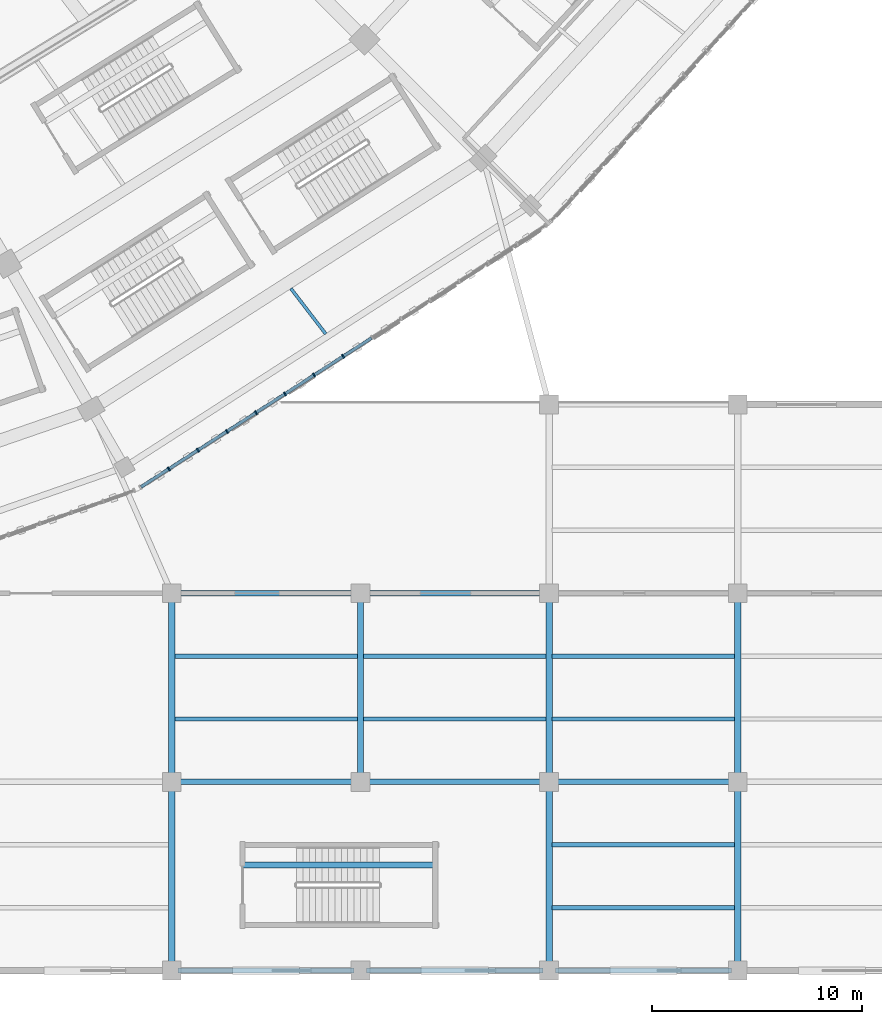
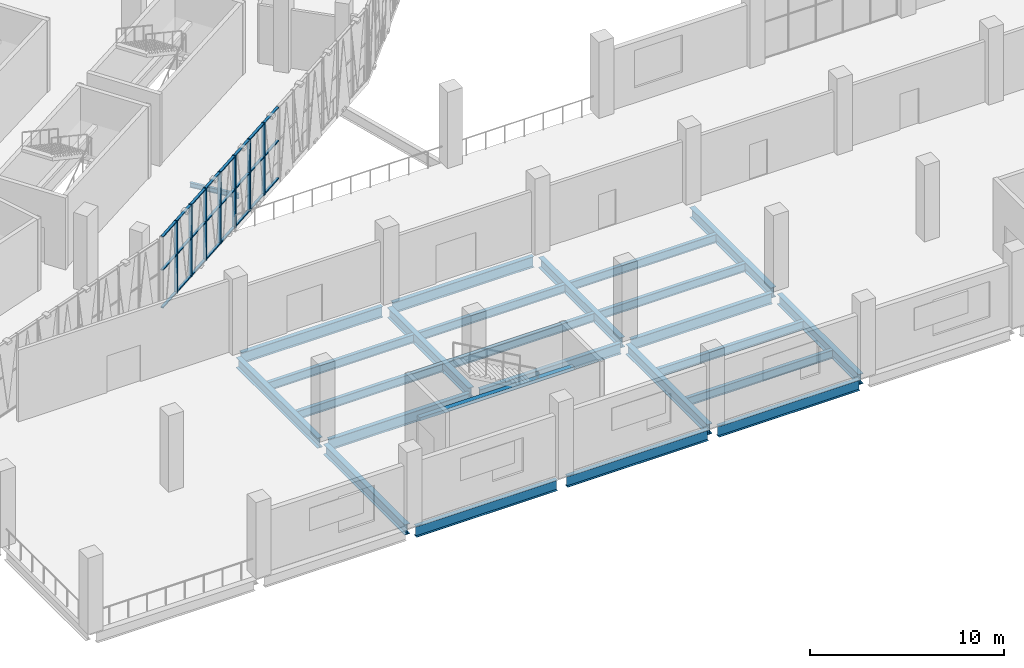
# One storey, part 29 of 183: 31 members, 25 beams, 1 element without a shape of its own.
"""IFC4 building model written with IfcOpenShell, lengths in metres."""

from ifc_helpers import new_model, si_unit, direction, frame, origin, origin_2d, place, context, subcontext, project, spatial, rectangle, i_section, extrude, material, material_profile, profile_set, type_object, element, aggregate, save


model = new_model("IFC4")

# Units and contexts
model_context = context("Model", 3, precision=1e-05, world=origin(), true_north=direction((0.0, 1.0)))
body_context = subcontext(model_context, "Body", "Model", "MODEL_VIEW")
ifc_project = project(units=[si_unit("LENGTHUNIT", "METRE"), si_unit("AREAUNIT", "SQUARE_METRE"), si_unit("VOLUMEUNIT", "CUBIC_METRE"), si_unit("PLANEANGLEUNIT", "RADIAN"), si_unit("MASSUNIT", "GRAM", prefix="KILO")], contexts=[model_context])

# Site, building, storey
site_placement = place(None, origin())
site = spatial("IfcSite", under=ifc_project, at=site_placement, CompositionType="ELEMENT")
building_placement = place(site_placement, origin())
building = spatial("IfcBuilding", under=site, at=building_placement, Name="Zevraka Park Crest Stadium", CompositionType="ELEMENT")
storey_placement = place(building_placement, frame((0.0, 0.0, 5.39990234375)))
storey = spatial("IfcBuildingStorey", under=building, at=storey_placement, Name="L01", CompositionType="ELEMENT", Elevation=5.39990234375)

# Beams
ifc_material_1 = material(Name="Steel S355", Category="steel")
ifc_material_profile_1 = material_profile(ifc_material_1, i_section(OverallWidth=0.253662109375, OverallDepth=0.68359375, WebThickness=0.012451171875, FlangeThickness=0.01904296875, at=origin_2d()), Name="UKB 686x254x140")
ifc_profile_set_1 = profile_set([ifc_material_profile_1], Name="Steel S355")
beam_type_1 = type_object("IfcBeamType", Name="BG05", PredefinedType="BEAM", material=ifc_profile_set_1)
for number, where, z_axis, x_axis, name in (
    (1, (161.300048828125, 0.0, -0.649658203125), (1.0, 0.0, 0.0), (0.0, 1.0, 0.0), "Wing Girder BG05 L01-1819/A"),
    (2, (161.300048828125, 9.0, -0.649658203125), (1.0, 0.0, 0.0), (0.0, 1.0, 0.0), "Wing Girder BG05 L01-1819/B"),
    (3, (161.300048828125, 18.0, -0.649658203125), (1.0, 0.0, 0.0), (0.0, 1.0, 0.0), "Wing Girder BG05 L01-1819/C"),
    (4, (170.300048828125, 0.0, -0.649658203125), (1.0, 0.0, 0.0), (0.0, 1.0, 0.0), "Wing Girder BG05 L01-1920/A"),
    (5, (170.300048828125, 9.0, -0.649658203125), (1.0, 0.0, 0.0), (0.0, 1.0, 0.0), "Wing Girder BG05 L01-1920/B"),
    (6, (170.300048828125, 18.0, -0.649658203125), (1.0, 0.0, 0.0), (0.0, 1.0, 0.0), "Wing Girder BG05 L01-1920/C"),
    (7, (179.300048828125, 0.0, -0.649658203125), (1.0, 0.0, 0.0), (0.0, 1.0, 0.0), "Wing Girder BG05 L01-2021/A"),
    (8, (179.300048828125, 9.0, -0.649658203125), (1.0, 0.0, 0.0), (0.0, 1.0, 0.0), "Wing Girder BG05 L01-2021/B"),
):
    element("IfcBeam", number, at=place(storey_placement, frame(where, z_axis=z_axis, x_axis=x_axis)), inside=storey, type_object=beam_type_1, Name=name, PredefinedType="BEAM", context=body_context, shape_type="SweptSolid", body=[
        extrude(i_section(OverallWidth=0.253662109375, OverallDepth=0.68359375, WebThickness=0.012451171875, FlangeThickness=0.01904296875, at=origin_2d()), origin(), (0.0, 0.0, 1.0), 8.39990234375),
    ])
ifc_material_2 = material(Name="Steel S355", Category="steel")
ifc_material_profile_2 = material_profile(ifc_material_2, i_section(OverallWidth=0.300048828125, OverallDepth=0.64990234375, WebThickness=0.01611328125, FlangeThickness=0.031005859375, at=origin_2d()), Name="HEB 650")
ifc_profile_set_2 = profile_set([ifc_material_profile_2], Name="Steel S355")
beam_type_2 = type_object("IfcBeamType", Name="BG07", PredefinedType="BEAM", material=ifc_profile_set_2)
for number, where, z_axis, x_axis, name in (
    (9, (161.0, 0.300048828125, -0.6328125), (0.0, 1.0, 0.0), (-1.0, 0.0, 0.0), "Wing Girder BG07 L01-18/AB"),
    (10, (161.0, 9.300048828125, -0.6328125), (0.0, 1.0, 0.0), (-1.0, 0.0, 0.0), "Wing Girder BG07 L01-18/BC"),
    (11, (170.0, 9.300048828125, -0.6328125), (0.0, 1.0, 0.0), (-1.0, 0.0, 0.0), "Wing Girder BG07 L01-19/BC"),
    (12, (179.0, 0.300048828125, -0.6328125), (0.0, 1.0, 0.0), (-1.0, 0.0, 0.0), "Wing Girder BG07 L01-20/AB"),
    (13, (179.0, 9.300048828125, -0.6328125), (0.0, 1.0, 0.0), (-1.0, 0.0, 0.0), "Wing Girder BG07 L01-20/BC"),
    (14, (188.0, 0.300048828125, -0.6328125), (0.0, 1.0, 0.0), (-1.0, 0.0, 0.0), "Wing Girder BG07 L01-21/AB"),
    (15, (188.0, 9.300048828125, -0.6328125), (0.0, 1.0, 0.0), (-1.0, 0.0, 0.0), "Wing Girder BG07 L01-21/BC"),
):
    element("IfcBeam", number, at=place(storey_placement, frame(where, z_axis=z_axis, x_axis=x_axis)), inside=storey, type_object=beam_type_2, Name=name, PredefinedType="BEAM", context=body_context, shape_type="SweptSolid", body=[
        extrude(i_section(OverallWidth=0.300048828125, OverallDepth=0.64990234375, WebThickness=0.01611328125, FlangeThickness=0.031005859375, at=origin_2d()), origin(), (0.0, 0.0, 1.0), 8.39990234375),
    ])

# Curtain wall, members
ifc_material_3 = material(Name="Anodised architectural aluminium and laminated safety glass", Category="aluminium")
curtain_wall_type = type_object("IfcCurtainWallType", Name="CW03", PredefinedType="NOTDEFINED", material=ifc_material_3)
curtain_wall_placement = place(storey_placement, origin())
curtain_wall = element("IfcCurtainWall", 16, at=curtain_wall_placement, inside=storey, type_object=curtain_wall_type, Name="Unitised Ring Curtain Wall CW03 L01-20", PredefinedType="NOTDEFINED")
ifc_material_4 = material(Name="Anodised architectural aluminium", Category="aluminium")
ifc_material_profile_3 = material_profile(ifc_material_4, rectangle(XDim=0.199951171875, YDim=0.070068359375, at=origin_2d()), Name="ALU MULLION 200x70")
ifc_profile_set_3 = profile_set([ifc_material_profile_3], Name="Anodised architectural aluminium")
member_type_1 = type_object("IfcMemberType", Name="CM03", PredefinedType="MULLION", material=ifc_profile_set_3)
member_1_placement = place(storey_placement, frame((160.859619140625, 23.928955078125, 0.0), z_axis=(0.0, 0.0, 1.0), x_axis=(-0.542570628938, 0.840010186018, 0.0)))
member_1 = element("IfcMember", 17, at=member_1_placement, type_object=member_type_1, Name="CW03 mullion 2", PredefinedType="MULLION", context=body_context, shape_type="SweptSolid", body=[
    extrude(rectangle(XDim=0.199951171875, YDim=0.070068359375, at=origin_2d()), origin(), (0.0, 0.0, 1.0), 4.52001953125),
])
member_2_placement = place(storey_placement, frame((162.245361328125, 24.823974609375, 0.0), z_axis=(0.0, 0.0, 1.0), x_axis=(-0.542570628938, 0.840010186018, 0.0)))
member_2 = element("IfcMember", 18, at=member_2_placement, type_object=member_type_1, Name="CW03 mullion 3", PredefinedType="MULLION", context=body_context, shape_type="SweptSolid", body=[
    extrude(rectangle(XDim=0.199951171875, YDim=0.070068359375, at=origin_2d()), origin(), (0.0, 0.0, 1.0), 4.52001953125),
])
member_3_placement = place(storey_placement, frame((163.630859375, 25.718994140625, 0.0), z_axis=(0.0, 0.0, 1.0), x_axis=(-0.542570628938, 0.840010186018, 0.0)))
member_3 = element("IfcMember", 19, at=member_3_placement, type_object=member_type_1, Name="CW03 mullion 4", PredefinedType="MULLION", context=body_context, shape_type="SweptSolid", body=[
    extrude(rectangle(XDim=0.199951171875, YDim=0.070068359375, at=origin_2d()), origin(), (0.0, 0.0, 1.0), 4.52001953125),
])
member_4_placement = place(storey_placement, frame((165.0166015625, 26.614013671875, 0.0), z_axis=(0.0, 0.0, 1.0), x_axis=(-0.542570628938, 0.840010186018, 0.0)))
member_4 = element("IfcMember", 20, at=member_4_placement, type_object=member_type_1, Name="CW03 mullion 5", PredefinedType="MULLION", context=body_context, shape_type="SweptSolid", body=[
    extrude(rectangle(XDim=0.199951171875, YDim=0.070068359375, at=origin_2d()), origin(), (0.0, 0.0, 1.0), 4.52001953125),
])
member_5_placement = place(storey_placement, frame((166.402099609375, 27.509033203125, 0.0), z_axis=(0.0, 0.0, 1.0), x_axis=(-0.542570628938, 0.840010186018, 0.0)))
member_5 = element("IfcMember", 21, at=member_5_placement, type_object=member_type_1, Name="CW03 mullion 6", PredefinedType="MULLION", context=body_context, shape_type="SweptSolid", body=[
    extrude(rectangle(XDim=0.199951171875, YDim=0.070068359375, at=origin_2d()), origin(), (0.0, 0.0, 1.0), 4.52001953125),
])
member_6_placement = place(storey_placement, frame((167.787841796875, 28.404052734375, 0.0), z_axis=(0.0, 0.0, 1.0), x_axis=(-0.542570628938, 0.840010186018, 0.0)))
member_6 = element("IfcMember", 22, at=member_6_placement, type_object=member_type_1, Name="CW03 mullion 7", PredefinedType="MULLION", context=body_context, shape_type="SweptSolid", body=[
    extrude(rectangle(XDim=0.199951171875, YDim=0.070068359375, at=origin_2d()), origin(), (0.0, 0.0, 1.0), 4.52001953125),
])
member_7_placement = place(storey_placement, frame((169.173583984375, 29.299072265625, 0.0), z_axis=(0.0, 0.0, 1.0), x_axis=(-0.542570628938, 0.840010186018, 0.0)))
member_7 = element("IfcMember", 23, at=member_7_placement, type_object=member_type_1, Name="CW03 mullion 8", PredefinedType="MULLION", context=body_context, shape_type="SweptSolid", body=[
    extrude(rectangle(XDim=0.199951171875, YDim=0.070068359375, at=origin_2d()), origin(), (0.0, 0.0, 1.0), 4.52001953125),
])
ifc_material_5 = material(Name="Anodised architectural aluminium", Category="aluminium")
ifc_material_profile_4 = material_profile(ifc_material_5, rectangle(XDim=0.14990234375, YDim=0.070068359375, at=origin_2d()), Name="ALU TRANSOM 150x70")
ifc_profile_set_4 = profile_set([ifc_material_profile_4], Name="Anodised architectural aluminium")
member_type_2 = type_object("IfcMemberType", Name="CT03", PredefinedType="USERDEFINED", material=ifc_profile_set_4)
member_8_placement = place(storey_placement, frame((159.53271484375, 23.072021484375, 0.03515625), z_axis=(0.840082895717, 0.542458042916, 0.0), x_axis=(-0.542458042916, 0.840082895717, 0.0)))
member_8 = element("IfcMember", 24, at=member_8_placement, type_object=member_type_2, Name="CW03 transom 1.1", ObjectType="TRANSOM", PredefinedType="USERDEFINED", context=body_context, shape_type="SweptSolid", body=[
    extrude(rectangle(XDim=0.14990234375, YDim=0.070068359375, at=origin_2d()), origin(), (0.0, 0.0, 1.0), 1.544677734375),
])
member_9_placement = place(storey_placement, frame((159.53271484375, 23.072021484375, 2.400146484375), z_axis=(0.840082895717, 0.542458042916, 0.0), x_axis=(-0.542458042916, 0.840082895717, 0.0)))
member_9 = element("IfcMember", 25, at=member_9_placement, type_object=member_type_2, Name="CW03 transom 1.2", ObjectType="TRANSOM", PredefinedType="USERDEFINED", context=body_context, shape_type="SweptSolid", body=[
    extrude(rectangle(XDim=0.14990234375, YDim=0.070068359375, at=origin_2d()), origin(), (0.0, 0.0, 1.0), 1.544677734375),
])
member_10_placement = place(storey_placement, frame((159.53271484375, 23.072021484375, 4.485107421875), z_axis=(0.840082895717, 0.542458042916, 0.0), x_axis=(-0.542458042916, 0.840082895717, 0.0)))
member_10 = element("IfcMember", 26, at=member_10_placement, type_object=member_type_2, Name="CW03 transom 1.3", ObjectType="TRANSOM", PredefinedType="USERDEFINED", context=body_context, shape_type="SweptSolid", body=[
    extrude(rectangle(XDim=0.14990234375, YDim=0.070068359375, at=origin_2d()), origin(), (0.0, 0.0, 1.0), 1.544677734375),
])
member_11_placement = place(storey_placement, frame((160.88916015625, 23.947998046875, 0.03515625), z_axis=(0.840001215359, 0.542584517098, 0.0), x_axis=(-0.542584517098, 0.840001215359, 0.0)))
member_11 = element("IfcMember", 27, at=member_11_placement, type_object=member_type_2, Name="CW03 transom 2.1", ObjectType="TRANSOM", PredefinedType="USERDEFINED", context=body_context, shape_type="SweptSolid", body=[
    extrude(rectangle(XDim=0.14990234375, YDim=0.070068359375, at=origin_2d()), origin(), (0.0, 0.0, 1.0), 1.579345703125),
])
member_12_placement = place(storey_placement, frame((160.88916015625, 23.947998046875, 2.400146484375), z_axis=(0.840001215359, 0.542584517098, 0.0), x_axis=(-0.542584517098, 0.840001215359, 0.0)))
member_12 = element("IfcMember", 28, at=member_12_placement, type_object=member_type_2, Name="CW03 transom 2.2", ObjectType="TRANSOM", PredefinedType="USERDEFINED", context=body_context, shape_type="SweptSolid", body=[
    extrude(rectangle(XDim=0.14990234375, YDim=0.070068359375, at=origin_2d()), origin(), (0.0, 0.0, 1.0), 1.579345703125),
])
member_13_placement = place(storey_placement, frame((160.88916015625, 23.947998046875, 4.485107421875), z_axis=(0.840001215359, 0.542584517098, 0.0), x_axis=(-0.542584517098, 0.840001215359, 0.0)))
member_13 = element("IfcMember", 29, at=member_13_placement, type_object=member_type_2, Name="CW03 transom 2.3", ObjectType="TRANSOM", PredefinedType="USERDEFINED", context=body_context, shape_type="SweptSolid", body=[
    extrude(rectangle(XDim=0.14990234375, YDim=0.070068359375, at=origin_2d()), origin(), (0.0, 0.0, 1.0), 1.579345703125),
])
member_14_placement = place(storey_placement, frame((162.274658203125, 24.843017578125, 0.03515625), z_axis=(0.840046715264, 0.542514070024, 0.0), x_axis=(-0.542514070024, 0.840046715264, 0.0)))
member_14 = element("IfcMember", 30, at=member_14_placement, type_object=member_type_2, Name="CW03 transom 3.1", ObjectType="TRANSOM", PredefinedType="USERDEFINED", context=body_context, shape_type="SweptSolid", body=[
    extrude(rectangle(XDim=0.14990234375, YDim=0.070068359375, at=origin_2d()), origin(), (0.0, 0.0, 1.0), 1.57958984375),
])
member_15_placement = place(storey_placement, frame((162.274658203125, 24.843017578125, 2.400146484375), z_axis=(0.840046715264, 0.542514070024, 0.0), x_axis=(-0.542514070024, 0.840046715264, 0.0)))
member_15 = element("IfcMember", 31, at=member_15_placement, type_object=member_type_2, Name="CW03 transom 3.2", ObjectType="TRANSOM", PredefinedType="USERDEFINED", context=body_context, shape_type="SweptSolid", body=[
    extrude(rectangle(XDim=0.14990234375, YDim=0.070068359375, at=origin_2d()), origin(), (0.0, 0.0, 1.0), 1.57958984375),
])
member_16_placement = place(storey_placement, frame((162.274658203125, 24.843017578125, 4.485107421875), z_axis=(0.840046715264, 0.542514070024, 0.0), x_axis=(-0.542514070024, 0.840046715264, 0.0)))
member_16 = element("IfcMember", 32, at=member_16_placement, type_object=member_type_2, Name="CW03 transom 3.3", ObjectType="TRANSOM", PredefinedType="USERDEFINED", context=body_context, shape_type="SweptSolid", body=[
    extrude(rectangle(XDim=0.14990234375, YDim=0.070068359375, at=origin_2d()), origin(), (0.0, 0.0, 1.0), 1.57958984375),
])
member_17_placement = place(storey_placement, frame((163.660400390625, 25.738037109375, 0.03515625), z_axis=(0.840001215359, 0.542584517098, 0.0), x_axis=(-0.542584517098, 0.840001215359, 0.0)))
member_17 = element("IfcMember", 33, at=member_17_placement, type_object=member_type_2, Name="CW03 transom 4.1", ObjectType="TRANSOM", PredefinedType="USERDEFINED", context=body_context, shape_type="SweptSolid", body=[
    extrude(rectangle(XDim=0.14990234375, YDim=0.070068359375, at=origin_2d()), origin(), (0.0, 0.0, 1.0), 1.579345703125),
])
member_18_placement = place(storey_placement, frame((163.660400390625, 25.738037109375, 2.400146484375), z_axis=(0.840001215359, 0.542584517098, 0.0), x_axis=(-0.542584517098, 0.840001215359, 0.0)))
member_18 = element("IfcMember", 34, at=member_18_placement, type_object=member_type_2, Name="CW03 transom 4.2", ObjectType="TRANSOM", PredefinedType="USERDEFINED", context=body_context, shape_type="SweptSolid", body=[
    extrude(rectangle(XDim=0.14990234375, YDim=0.070068359375, at=origin_2d()), origin(), (0.0, 0.0, 1.0), 1.579345703125),
])
member_19_placement = place(storey_placement, frame((163.660400390625, 25.738037109375, 4.485107421875), z_axis=(0.840001215359, 0.542584517098, 0.0), x_axis=(-0.542584517098, 0.840001215359, 0.0)))
member_19 = element("IfcMember", 35, at=member_19_placement, type_object=member_type_2, Name="CW03 transom 4.3", ObjectType="TRANSOM", PredefinedType="USERDEFINED", context=body_context, shape_type="SweptSolid", body=[
    extrude(rectangle(XDim=0.14990234375, YDim=0.070068359375, at=origin_2d()), origin(), (0.0, 0.0, 1.0), 1.579345703125),
])
member_20_placement = place(storey_placement, frame((165.0458984375, 26.633056640625, 0.03515625), z_axis=(0.840046715264, 0.542514070024, 0.0), x_axis=(-0.542514070024, 0.840046715264, 0.0)))
member_20 = element("IfcMember", 36, at=member_20_placement, type_object=member_type_2, Name="CW03 transom 5.1", ObjectType="TRANSOM", PredefinedType="USERDEFINED", context=body_context, shape_type="SweptSolid", body=[
    extrude(rectangle(XDim=0.14990234375, YDim=0.070068359375, at=origin_2d()), origin(), (0.0, 0.0, 1.0), 1.57958984375),
])
member_21_placement = place(storey_placement, frame((165.0458984375, 26.633056640625, 2.400146484375), z_axis=(0.840046715264, 0.542514070024, 0.0), x_axis=(-0.542514070024, 0.840046715264, 0.0)))
member_21 = element("IfcMember", 37, at=member_21_placement, type_object=member_type_2, Name="CW03 transom 5.2", ObjectType="TRANSOM", PredefinedType="USERDEFINED", context=body_context, shape_type="SweptSolid", body=[
    extrude(rectangle(XDim=0.14990234375, YDim=0.070068359375, at=origin_2d()), origin(), (0.0, 0.0, 1.0), 1.57958984375),
])
member_22_placement = place(storey_placement, frame((165.0458984375, 26.633056640625, 4.485107421875), z_axis=(0.840046715264, 0.542514070024, 0.0), x_axis=(-0.542514070024, 0.840046715264, 0.0)))
member_22 = element("IfcMember", 38, at=member_22_placement, type_object=member_type_2, Name="CW03 transom 5.3", ObjectType="TRANSOM", PredefinedType="USERDEFINED", context=body_context, shape_type="SweptSolid", body=[
    extrude(rectangle(XDim=0.14990234375, YDim=0.070068359375, at=origin_2d()), origin(), (0.0, 0.0, 1.0), 1.57958984375),
])
member_23_placement = place(storey_placement, frame((166.431640625, 27.528076171875, 0.03515625), z_axis=(0.840046715264, 0.542514070024, 0.0), x_axis=(-0.542514070024, 0.840046715264, 0.0)))
member_23 = element("IfcMember", 39, at=member_23_placement, type_object=member_type_2, Name="CW03 transom 6.1", ObjectType="TRANSOM", PredefinedType="USERDEFINED", context=body_context, shape_type="SweptSolid", body=[
    extrude(rectangle(XDim=0.14990234375, YDim=0.070068359375, at=origin_2d()), origin(), (0.0, 0.0, 1.0), 1.57958984375),
])
member_24_placement = place(storey_placement, frame((166.431640625, 27.528076171875, 2.400146484375), z_axis=(0.840046715264, 0.542514070024, 0.0), x_axis=(-0.542514070024, 0.840046715264, 0.0)))
member_24 = element("IfcMember", 40, at=member_24_placement, type_object=member_type_2, Name="CW03 transom 6.2", ObjectType="TRANSOM", PredefinedType="USERDEFINED", context=body_context, shape_type="SweptSolid", body=[
    extrude(rectangle(XDim=0.14990234375, YDim=0.070068359375, at=origin_2d()), origin(), (0.0, 0.0, 1.0), 1.57958984375),
])
member_25_placement = place(storey_placement, frame((166.431640625, 27.528076171875, 4.485107421875), z_axis=(0.840046715264, 0.542514070024, 0.0), x_axis=(-0.542514070024, 0.840046715264, 0.0)))
member_25 = element("IfcMember", 41, at=member_25_placement, type_object=member_type_2, Name="CW03 transom 6.3", ObjectType="TRANSOM", PredefinedType="USERDEFINED", context=body_context, shape_type="SweptSolid", body=[
    extrude(rectangle(XDim=0.14990234375, YDim=0.070068359375, at=origin_2d()), origin(), (0.0, 0.0, 1.0), 1.57958984375),
])
member_26_placement = place(storey_placement, frame((167.817138671875, 28.423095703125, 0.03515625), z_axis=(0.840046715264, 0.542514070024, 0.0), x_axis=(-0.542514070024, 0.840046715264, 0.0)))
member_26 = element("IfcMember", 42, at=member_26_placement, type_object=member_type_2, Name="CW03 transom 7.1", ObjectType="TRANSOM", PredefinedType="USERDEFINED", context=body_context, shape_type="SweptSolid", body=[
    extrude(rectangle(XDim=0.14990234375, YDim=0.070068359375, at=origin_2d()), origin(), (0.0, 0.0, 1.0), 1.57958984375),
])
member_27_placement = place(storey_placement, frame((167.817138671875, 28.423095703125, 2.400146484375), z_axis=(0.840046715264, 0.542514070024, 0.0), x_axis=(-0.542514070024, 0.840046715264, 0.0)))
member_27 = element("IfcMember", 43, at=member_27_placement, type_object=member_type_2, Name="CW03 transom 7.2", ObjectType="TRANSOM", PredefinedType="USERDEFINED", context=body_context, shape_type="SweptSolid", body=[
    extrude(rectangle(XDim=0.14990234375, YDim=0.070068359375, at=origin_2d()), origin(), (0.0, 0.0, 1.0), 1.57958984375),
])
member_28_placement = place(storey_placement, frame((167.817138671875, 28.423095703125, 4.485107421875), z_axis=(0.840046715264, 0.542514070024, 0.0), x_axis=(-0.542514070024, 0.840046715264, 0.0)))
member_28 = element("IfcMember", 44, at=member_28_placement, type_object=member_type_2, Name="CW03 transom 7.3", ObjectType="TRANSOM", PredefinedType="USERDEFINED", context=body_context, shape_type="SweptSolid", body=[
    extrude(rectangle(XDim=0.14990234375, YDim=0.070068359375, at=origin_2d()), origin(), (0.0, 0.0, 1.0), 1.57958984375),
])
member_29_placement = place(storey_placement, frame((169.202880859375, 29.31787109375, 0.03515625), z_axis=(0.839976274256, 0.542623127675, 0.0), x_axis=(-0.542623127675, 0.839976274256, 0.0)))
member_29 = element("IfcMember", 45, at=member_29_placement, type_object=member_type_2, Name="CW03 transom 8.1", ObjectType="TRANSOM", PredefinedType="USERDEFINED", context=body_context, shape_type="SweptSolid", body=[
    extrude(rectangle(XDim=0.14990234375, YDim=0.070068359375, at=origin_2d()), origin(), (0.0, 0.0, 1.0), 1.57958984375),
])
member_30_placement = place(storey_placement, frame((169.202880859375, 29.31787109375, 2.400146484375), z_axis=(0.839976274256, 0.542623127675, 0.0), x_axis=(-0.542623127675, 0.839976274256, 0.0)))
member_30 = element("IfcMember", 46, at=member_30_placement, type_object=member_type_2, Name="CW03 transom 8.2", ObjectType="TRANSOM", PredefinedType="USERDEFINED", context=body_context, shape_type="SweptSolid", body=[
    extrude(rectangle(XDim=0.14990234375, YDim=0.070068359375, at=origin_2d()), origin(), (0.0, 0.0, 1.0), 1.57958984375),
])
member_31_placement = place(storey_placement, frame((169.202880859375, 29.31787109375, 4.485107421875), z_axis=(0.839976274256, 0.542623127675, 0.0), x_axis=(-0.542623127675, 0.839976274256, 0.0)))
member_31 = element("IfcMember", 47, at=member_31_placement, type_object=member_type_2, Name="CW03 transom 8.3", ObjectType="TRANSOM", PredefinedType="USERDEFINED", context=body_context, shape_type="SweptSolid", body=[
    extrude(rectangle(XDim=0.14990234375, YDim=0.070068359375, at=origin_2d()), origin(), (0.0, 0.0, 1.0), 1.57958984375),
])
aggregate(curtain_wall, [member_1, member_2, member_3, member_4, member_5, member_6, member_7, member_8, member_9, member_10, member_11, member_12, member_13, member_14, member_15, member_16, member_17, member_18, member_19, member_20, member_21, member_22, member_23, member_24, member_25, member_26, member_27, member_28, member_29, member_30, member_31])

# Beams
ifc_material_6 = material(Name="Steel S355", Category="steel")
ifc_material_profile_5 = material_profile(ifc_material_6, i_section(OverallWidth=0.14990234375, OverallDepth=0.300048828125, WebThickness=0.007080078125, FlangeThickness=0.0107421875, at=origin_2d()), Name="IPE 300")
ifc_profile_set_5 = profile_set([ifc_material_profile_5], Name="Steel S355")
beam_type_3 = type_object("IfcBeamType", Name="SJ01", PredefinedType="JOIST", material=ifc_profile_set_5)
beam_1_placement = place(storey_placement, frame((166.680908203125, 32.537109375, -0.4580078125), z_axis=(0.608829249804, -0.793301294959, 0.0), x_axis=(0.793301294959, 0.608829249804, 0.0)))
element("IfcBeam", 48, at=beam_1_placement, inside=storey, type_object=beam_type_3, Name="Floor Joist SJ01 L01-DE-20-1", PredefinedType="JOIST", context=body_context, shape_type="SweptSolid", body=[
    extrude(i_section(OverallWidth=0.14990234375, OverallDepth=0.300048828125, WebThickness=0.007080078125, FlangeThickness=0.0107421875, at=origin_2d()), origin(), (0.0, 0.0, 1.0), 2.731689453125),
])
ifc_material_7 = material(Name="Steel S355", Category="steel")
ifc_material_profile_6 = material_profile(ifc_material_7, i_section(OverallWidth=0.209228515625, OverallDepth=0.533203125, WebThickness=0.010009765625, FlangeThickness=0.015625, at=origin_2d()), Name="UKB 533x210x92")
ifc_profile_set_6 = profile_set([ifc_material_profile_6], Name="Steel S355")
beam_type_4 = type_object("IfcBeamType", Name="SJ05", PredefinedType="JOIST", material=ifc_profile_set_6)
for number, where, z_axis, x_axis, name in (
    (49, (161.14501953125, 12.0, -0.576416015625), (1.0, 0.0, 0.0), (0.0, 1.0, 0.0), "Wing Joist SJ05 L01-18/B-1"),
    (50, (161.14501953125, 15.0, -0.576416015625), (1.0, 0.0, 0.0), (0.0, 1.0, 0.0), "Wing Joist SJ05 L01-18/B-2"),
    (51, (170.14501953125, 12.0, -0.576416015625), (1.0, 0.0, 0.0), (0.0, 1.0, 0.0), "Wing Joist SJ05 L01-19/B-1"),
    (52, (170.14501953125, 15.0, -0.576416015625), (1.0, 0.0, 0.0), (0.0, 1.0, 0.0), "Wing Joist SJ05 L01-19/B-2"),
    (53, (179.14501953125, 3.0, -0.576416015625), (1.0, 0.0, 0.0), (0.0, 1.0, 0.0), "Wing Joist SJ05 L01-20/A-1"),
    (54, (179.14501953125, 6.0, -0.576416015625), (1.0, 0.0, 0.0), (0.0, 1.0, 0.0), "Wing Joist SJ05 L01-20/A-2"),
    (55, (179.14501953125, 12.0, -0.576416015625), (1.0, 0.0, 0.0), (0.0, 1.0, 0.0), "Wing Joist SJ05 L01-20/B-1"),
    (56, (179.14501953125, 15.0, -0.576416015625), (1.0, 0.0, 0.0), (0.0, 1.0, 0.0), "Wing Joist SJ05 L01-20/B-2"),
):
    element("IfcBeam", number, at=place(storey_placement, frame(where, z_axis=z_axis, x_axis=x_axis)), inside=storey, type_object=beam_type_4, Name=name, PredefinedType="JOIST", context=body_context, shape_type="SweptSolid", body=[
        extrude(i_section(OverallWidth=0.209228515625, OverallDepth=0.533203125, WebThickness=0.010009765625, FlangeThickness=0.015625, at=origin_2d()), origin(), (0.0, 0.0, 1.0), 8.7099609375),
    ])
ifc_material_8 = material(Name="Concrete C40/50", Category="concrete")
ifc_material_profile_7 = material_profile(ifc_material_8, rectangle(XDim=0.280029296875, YDim=0.199951171875, at=origin_2d()), Name="RC 200x280")
ifc_profile_set_7 = profile_set([ifc_material_profile_7], Name="Concrete C40/50")
beam_type_5 = type_object("IfcBeamType", Name="SJ13", PredefinedType="JOIST", material=ifc_profile_set_7)
beam_2_placement = place(storey_placement, frame((164.39990234375, 5.034912109375, 2.300048828125), z_axis=(1.0, 0.0, 0.0), x_axis=(0.0, 1.0, 0.0)))
element("IfcBeam", 57, at=beam_2_placement, inside=storey, type_object=beam_type_5, Name="Stair Upper-Flight Longitudinal Stringer SJ13 ST53-L01", PredefinedType="JOIST", context=body_context, shape_type="SweptSolid", body=[
    extrude(rectangle(XDim=0.280029296875, YDim=0.199951171875, at=origin_2d()), origin(), (0.0, 0.0, 1.0), 9.2001953125),
])

save(model, "model.ifc")
